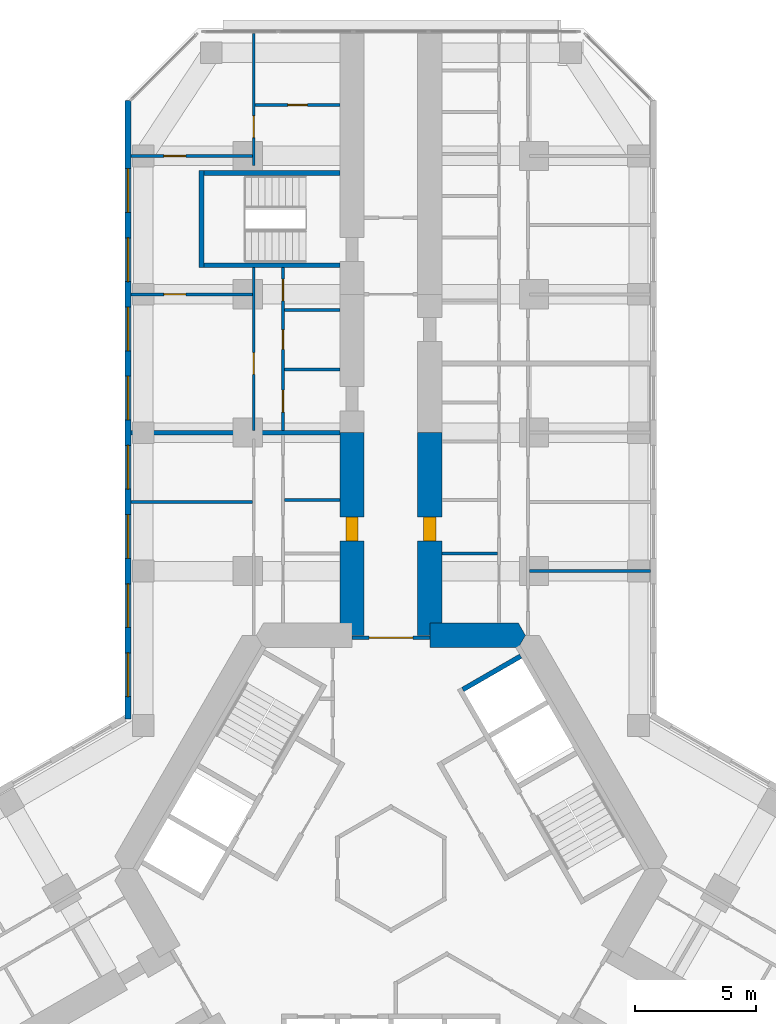
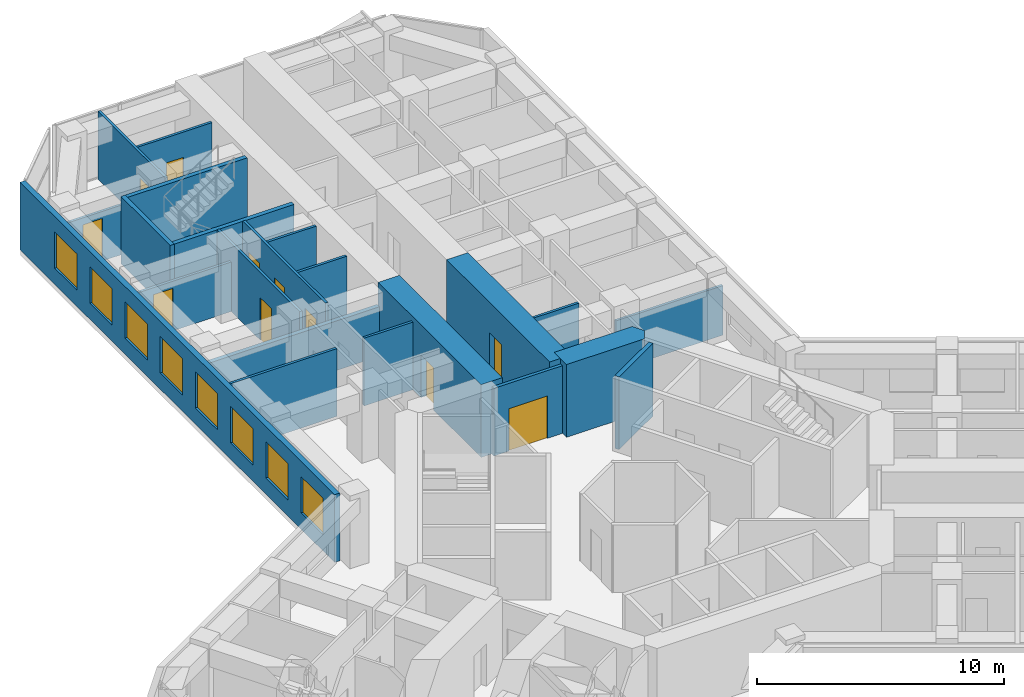
# One storey, part 17 of 21: 22 walls, 11 doors, 8 windows, 19 openings.
"""IFC4 building model written with IfcOpenShell, lengths in metres."""

from ifc_helpers import new_model, si_unit, direction, frame, frame_2d, origin, place, context, subcontext, project, spatial, polyline, rectangle, outline, extrude, material, layer, layer_set, type_object, element, fill, save


model = new_model("IFC4")

# Units and contexts
model_context = context("Model", 3, precision=1e-05, world=origin(), true_north=direction((0.0, 1.0)))
body_context = subcontext(model_context, "Body", "Model", "MODEL_VIEW")
ifc_project = project(units=[si_unit("LENGTHUNIT", "METRE"), si_unit("AREAUNIT", "SQUARE_METRE"), si_unit("VOLUMEUNIT", "CUBIC_METRE"), si_unit("PLANEANGLEUNIT", "RADIAN"), si_unit("MASSUNIT", "GRAM", prefix="KILO")], contexts=[model_context])

# Site, building, storey
site_placement = place(None, origin())
site = spatial("IfcSite", under=ifc_project, at=site_placement, CompositionType="ELEMENT")
building_placement = place(site_placement, origin())
building = spatial("IfcBuilding", under=site, at=building_placement, Name="Kosmar Iwan School Tower", CompositionType="ELEMENT")
storey_placement = place(building_placement, frame((0.0, 0.0, 88.0)))
storey = spatial("IfcBuildingStorey", under=building, at=storey_placement, Name="L21", CompositionType="ELEMENT", Elevation=88.0)

# Wall
ifc_material_1 = material(Name="Concrete C50/60", Category="concrete")
ifc_layer_1 = layer(ifc_material_1, 1.0)
ifc_layer_set_1 = layer_set([ifc_layer_1], Name="Core wall 1000")
wall_type_1 = type_object("IfcWallType", Name="Core wall 1000", PredefinedType="SHEAR", material=ifc_layer_set_1)
wall_1_placement = place(storey_placement, origin())
element("IfcWall", 1, at=wall_1_placement, inside=storey, type_object=wall_type_1, Name="Core wall F090a", PredefinedType="SHEAR", context=body_context, shape_type="SweptSolid", body=[
    extrude(outline(polyline([(1.60009765625, 9.10009765625), (5.25390625, 9.10009765625), (5.54248046875, 9.60009765625), (5.25390625, 10.10009765625), (1.60009765625, 10.10009765625), (1.60009765625, 9.10009765625)])), origin(), (0.0, 0.0, 1.0), 3.60009765625),
])

# Wall, opening, door
ifc_material_2 = material(Name="Concrete C50/60", Category="concrete")
ifc_layer_2 = layer(ifc_material_2, 1.0)
ifc_layer_set_2 = layer_set([ifc_layer_2], Name="Corridor buttress wall 1000")
wall_type_2 = type_object("IfcWallType", Name="Corridor buttress wall 1000", PredefinedType="SHEAR", material=ifc_layer_set_2)
wall_2_placement = place(storey_placement, frame((-1.60009765625, 9.60009765625, 0.0), z_axis=(0.0, 0.0, 1.0), x_axis=(0.0, 1.0, 0.0)))
wall_2 = element("IfcWall", 2, at=wall_2_placement, inside=storey, type_object=wall_type_2, Name="Corridor wall AL", PredefinedType="SHEAR", context=body_context, shape_type="SweptSolid", body=[
    extrude(rectangle(XDim=8.349853515625, YDim=1.0, at=frame_2d((4.1748046875, 0.0))), origin(), (0.0, 0.0, 1.0), 3.60009765625),
])
opening_1_placement = place(wall_2_placement, frame((3.8798828125, 0.0, 0.0)))
opening_1 = element("IfcOpeningElement", 3, at=opening_1_placement, cuts=wall_2, Name="Opening D1", PredefinedType="OPENING", context=body_context, shape_type="SweptSolid", body=[
    extrude(rectangle(XDim=1.0, YDim=2.10009765625, at=frame_2d((0.5, 1.050048828125))), frame((0.0, 0.511962890625, 0.0), z_axis=(0.0, -1.0, 0.0), x_axis=(1.0, 0.0, 0.0)), (0.0, 0.0, 1.0), 1.02392578125),
])
ifc_material_3 = material(Name="Timber fire door in steel frame", Category="steel")
door_type_1 = type_object("IfcDoorType", Name="Flat entrance door 1000x2100", OperationType="SINGLE_SWING_LEFT", PredefinedType="DOOR", material=ifc_material_3)
door_1_placement = place(opening_1_placement, origin())
door_1 = element("IfcDoor", 4, at=door_1_placement, inside=storey, type_object=door_type_1, Name="Flat L21-AL1 entrance door", OperationType="SINGLE_SWING_LEFT", OverallHeight=2.10009765625, OverallWidth=1.0, PredefinedType="DOOR", context=body_context, shape_type="SweptSolid", body=[
    extrude(rectangle(XDim=1.0, YDim=2.10009765625, at=frame_2d((0.5, 1.050048828125))), frame((0.0, 0.25, 0.0), z_axis=(0.0, -1.0, 0.0), x_axis=(1.0, 0.0, 0.0)), (0.0, 0.0, 1.0), 0.5),
])
fill(opening_1, door_1)

wall_3_placement = place(storey_placement, frame((1.60009765625, 9.60009765625, 0.0), z_axis=(0.0, 0.0, 1.0), x_axis=(0.0, 1.0, 0.0)))
wall_3 = element("IfcWall", 5, at=wall_3_placement, inside=storey, type_object=wall_type_2, Name="Corridor wall AR", PredefinedType="SHEAR", context=body_context, shape_type="SweptSolid", body=[
    extrude(rectangle(XDim=8.349853515625, YDim=1.0, at=frame_2d((4.1748046875, 0.0))), origin(), (0.0, 0.0, 1.0), 3.60009765625),
])
opening_2_placement = place(wall_3_placement, frame((3.8798828125, 0.0, 0.0)))
opening_2 = element("IfcOpeningElement", 6, at=opening_2_placement, cuts=wall_3, Name="Opening D1", PredefinedType="OPENING", context=body_context, shape_type="SweptSolid", body=[
    extrude(rectangle(XDim=1.0, YDim=2.10009765625, at=frame_2d((0.5, 1.050048828125))), frame((0.0, 0.511962890625, 0.0), z_axis=(0.0, -1.0, 0.0), x_axis=(1.0, 0.0, 0.0)), (0.0, 0.0, 1.0), 1.02392578125),
])
door_2_placement = place(opening_2_placement, origin())
door_2 = element("IfcDoor", 7, at=door_2_placement, inside=storey, type_object=door_type_1, Name="Flat L21-AR1 entrance door", OperationType="SINGLE_SWING_RIGHT", OverallHeight=2.10009765625, OverallWidth=1.0, PredefinedType="DOOR", context=body_context, shape_type="SweptSolid", body=[
    extrude(rectangle(XDim=1.0, YDim=2.10009765625, at=frame_2d((0.5, 1.050048828125))), frame((0.0, 0.25, 0.0), z_axis=(0.0, -1.0, 0.0), x_axis=(1.0, 0.0, 0.0)), (0.0, 0.0, 1.0), 0.5),
])
fill(opening_2, door_2)

ifc_material_4 = material(Name="Steel framed glazed screen", Category="steel")
ifc_layer_3 = layer(ifc_material_4, 0.14990234375)
ifc_layer_set_3 = layer_set([ifc_layer_3], Name="Corridor screen wall 150")
wall_type_3 = type_object("IfcWallType", Name="Corridor screen wall 150", PredefinedType="PARTITIONING", material=ifc_layer_set_3)
wall_4_placement = place(storey_placement, frame((1.60009765625, 9.5, 0.0), z_axis=(0.0, 0.0, 1.0), x_axis=(-1.0, 0.0, 0.0)))
wall_4 = element("IfcWall", 8, at=wall_4_placement, inside=storey, type_object=wall_type_3, Name="Corridor screen A L21", PredefinedType="PARTITIONING", context=body_context, shape_type="SweptSolid", body=[
    extrude(rectangle(XDim=3.2001953125, YDim=0.14990234375, at=frame_2d((1.60009765625, 0.0))), origin(), (0.0, 0.0, 1.0), 3.35009765625),
])
opening_3_placement = place(wall_4_placement, frame((0.699951171875, 0.0, 0.0)))
opening_3 = element("IfcOpeningElement", 9, at=opening_3_placement, cuts=wall_4, Name="Opening D9", PredefinedType="OPENING", context=body_context, shape_type="SweptSolid", body=[
    extrude(rectangle(XDim=1.800048828125, YDim=2.10009765625, at=frame_2d((0.89990234375, 1.050048828125))), frame((0.0, 0.0869140625, 0.0), z_axis=(0.0, -1.0, 0.0), x_axis=(1.0, 0.0, 0.0)), (0.0, 0.0, 1.0), 0.173828125),
])
ifc_material_5 = material(Name="Steel framed glazed smoke door", Category="steel")
door_type_2 = type_object("IfcDoorType", Name="Corridor smoke door pair 1800x2100", OperationType="DOUBLE_DOOR_DOUBLE_SWING", PredefinedType="DOOR", material=ifc_material_5)
door_3_placement = place(opening_3_placement, origin())
door_3 = element("IfcDoor", 10, at=door_3_placement, inside=storey, type_object=door_type_2, Name="Corridor doors A L21", OperationType="DOUBLE_DOOR_DOUBLE_SWING", OverallHeight=2.10009765625, OverallWidth=1.800048828125, PredefinedType="DOOR", context=body_context, shape_type="SweptSolid", body=[
    extrude(rectangle(XDim=1.800048828125, YDim=2.10009765625, at=frame_2d((0.89990234375, 1.050048828125))), frame((0.0, 0.02490234375, 0.0), z_axis=(0.0, -1.0, 0.0), x_axis=(1.0, 0.0, 0.0)), (0.0, 0.0, 1.0), 0.050048828125),
])
fill(opening_3, door_3)

# Walls
ifc_material_6 = material(Name="Gypsum board on steel studs", Category="steel")
ifc_layer_4 = layer(ifc_material_6, 0.1201171875)
ifc_layer_set_4 = layer_set([ifc_layer_4], Name="Dwelling partition 120")
wall_type_4 = type_object("IfcWallType", Name="Dwelling partition 120", PredefinedType="PARTITIONING", material=ifc_layer_set_4)
wall_5_placement = place(storey_placement, frame((-5.7099609375, 15.10009765625, 0.0), z_axis=(0.0, 0.0, 1.0), x_axis=(-1.0, 0.0, 0.0)))
element("IfcWall", 11, at=wall_5_placement, inside=storey, type_object=wall_type_4, Name="Partition L21-AL1-X1", PredefinedType="PARTITIONING", context=body_context, shape_type="SweptSolid", body=[
    extrude(rectangle(XDim=4.989990234375, YDim=0.1201171875, at=frame_2d((2.4951171875, 0.0))), origin(), (0.0, 0.0, 1.0), 3.35009765625),
])
wall_6_placement = place(storey_placement, frame((-2.10009765625, 15.179931640625, 0.0), z_axis=(0.0, 0.0, 1.0), x_axis=(-1.0, 0.0, 0.0)))
element("IfcWall", 12, at=wall_6_placement, inside=storey, type_object=wall_type_4, Name="Partition L21-AL1-Y2", PredefinedType="PARTITIONING", context=body_context, shape_type="SweptSolid", body=[
    extrude(rectangle(XDim=2.289794921875, YDim=0.1201171875, at=frame_2d((1.14501953125, 0.0))), origin(), (0.0, 0.0, 1.0), 3.35009765625),
])

# Wall, openings, doors
wall_7_placement = place(storey_placement, frame((-4.449951171875, 18.050048828125, 0.0), z_axis=(0.0, 0.0, 1.0), x_axis=(0.0, 1.0, 0.0)))
wall_7 = element("IfcWall", 13, at=wall_7_placement, inside=storey, type_object=wall_type_4, Name="Partition L21-AL2-W1", PredefinedType="PARTITIONING", context=body_context, shape_type="SweptSolid", body=[
    extrude(rectangle(XDim=6.699951171875, YDim=0.1201171875, at=frame_2d((3.35009765625, 0.0))), origin(), (0.0, 0.0, 1.0), 3.35009765625),
])
opening_4_placement = place(wall_7_placement, frame((0.75, 0.0, 0.0)))
opening_4 = element("IfcOpeningElement", 14, at=opening_4_placement, cuts=wall_7, Name="Opening D2", PredefinedType="OPENING", context=body_context, shape_type="SweptSolid", body=[
    extrude(rectangle(XDim=0.89990234375, YDim=2.10009765625, at=frame_2d((0.449951171875, 1.050048828125))), frame((0.0, 0.072021484375, 0.0), z_axis=(0.0, -1.0, 0.0), x_axis=(1.0, 0.0, 0.0)), (0.0, 0.0, 1.0), 0.14404296875),
])
opening_5_placement = place(wall_7_placement, frame((3.330078125, 0.0, 0.0)))
opening_5 = element("IfcOpeningElement", 15, at=opening_5_placement, cuts=wall_7, Name="Opening D3", PredefinedType="OPENING", context=body_context, shape_type="SweptSolid", body=[
    extrude(rectangle(XDim=0.800048828125, YDim=2.10009765625, at=frame_2d((0.39990234375, 1.050048828125))), frame((0.0, 0.072021484375, 0.0), z_axis=(0.0, -1.0, 0.0), x_axis=(1.0, 0.0, 0.0)), (0.0, 0.0, 1.0), 0.14404296875),
])
opening_6_placement = place(wall_7_placement, frame((5.330078125, 0.0, 0.0)))
opening_6 = element("IfcOpeningElement", 16, at=opening_6_placement, cuts=wall_7, Name="Opening D2", PredefinedType="OPENING", context=body_context, shape_type="SweptSolid", body=[
    extrude(rectangle(XDim=0.89990234375, YDim=2.10009765625, at=frame_2d((0.449951171875, 1.050048828125))), frame((0.0, 0.072021484375, 0.0), z_axis=(0.0, -1.0, 0.0), x_axis=(1.0, 0.0, 0.0)), (0.0, 0.0, 1.0), 0.14404296875),
])
ifc_material_7 = material(Name="Timber door in timber frame", Category="wood")
door_type_3 = type_object("IfcDoorType", Name="Internal door 900x2100", OperationType="SINGLE_SWING_LEFT", PredefinedType="DOOR", material=ifc_material_7)
door_4_placement = place(opening_4_placement, origin())
door_4 = element("IfcDoor", 17, at=door_4_placement, inside=storey, type_object=door_type_3, Name="Entrance hall door L21-AL2-S1", OperationType="SINGLE_SWING_LEFT", OverallHeight=2.10009765625, OverallWidth=0.89990234375, PredefinedType="DOOR", context=body_context, shape_type="SweptSolid", body=[
    extrude(rectangle(XDim=0.89990234375, YDim=2.10009765625, at=frame_2d((0.449951171875, 1.050048828125))), frame((0.0, 0.02490234375, 0.0), z_axis=(0.0, -1.0, 0.0), x_axis=(1.0, 0.0, 0.0)), (0.0, 0.0, 1.0), 0.050048828125),
])
fill(opening_4, door_4)
door_5_placement = place(opening_6_placement, frame((0.89990234375, 0.0, 0.0), z_axis=(0.0, 0.0, 1.0), x_axis=(-1.0, 0.0, 0.0)))
door_5 = element("IfcDoor", 18, at=door_5_placement, inside=storey, type_object=door_type_3, Name="Pantry door L21-AL2-S3", OperationType="SINGLE_SWING_LEFT", OverallHeight=2.10009765625, OverallWidth=0.89990234375, PredefinedType="DOOR", context=body_context, shape_type="SweptSolid", body=[
    extrude(rectangle(XDim=0.89990234375, YDim=2.10009765625, at=frame_2d((0.449951171875, 1.050048828125))), frame((0.0, 0.02490234375, 0.0), z_axis=(0.0, -1.0, 0.0), x_axis=(1.0, 0.0, 0.0)), (0.0, 0.0, 1.0), 0.050048828125),
])
fill(opening_6, door_5)
ifc_material_8 = material(Name="Timber door in timber frame", Category="wood")
door_type_4 = type_object("IfcDoorType", Name="Sanitary room door 800x2100", OperationType="SINGLE_SWING_LEFT", PredefinedType="DOOR", material=ifc_material_8)
door_6_placement = place(opening_5_placement, origin())
door_6 = element("IfcDoor", 19, at=door_6_placement, inside=storey, type_object=door_type_4, Name="Bathroom door L21-AL2-S2", OperationType="SINGLE_SWING_RIGHT", OverallHeight=2.10009765625, OverallWidth=0.800048828125, PredefinedType="DOOR", context=body_context, shape_type="SweptSolid", body=[
    extrude(rectangle(XDim=0.800048828125, YDim=2.10009765625, at=frame_2d((0.39990234375, 1.050048828125))), frame((0.0, 0.02490234375, 0.0), z_axis=(0.0, -1.0, 0.0), x_axis=(1.0, 0.0, 0.0)), (0.0, 0.0, 1.0), 0.050048828125),
])
fill(opening_5, door_6)

# Wall, opening, door
wall_8_placement = place(storey_placement, frame((-5.64990234375, 18.050048828125, 0.0), z_axis=(0.0, 0.0, 1.0), x_axis=(0.0, 1.0, 0.0)))
wall_8 = element("IfcWall", 20, at=wall_8_placement, inside=storey, type_object=wall_type_4, Name="Partition L21-AL2-W2", PredefinedType="PARTITIONING", context=body_context, shape_type="SweptSolid", body=[
    extrude(rectangle(XDim=6.699951171875, YDim=0.1201171875, at=frame_2d((3.35009765625, 0.0))), origin(), (0.0, 0.0, 1.0), 3.35009765625),
])
opening_7_placement = place(wall_8_placement, frame((2.300048828125, 0.0, 0.0)))
opening_7 = element("IfcOpeningElement", 21, at=opening_7_placement, cuts=wall_8, Name="Opening D2", PredefinedType="OPENING", context=body_context, shape_type="SweptSolid", body=[
    extrude(rectangle(XDim=0.89990234375, YDim=2.10009765625, at=frame_2d((0.449951171875, 1.050048828125))), frame((0.0, 0.072021484375, 0.0), z_axis=(0.0, -1.0, 0.0), x_axis=(1.0, 0.0, 0.0)), (0.0, 0.0, 1.0), 0.14404296875),
])
door_7_placement = place(opening_7_placement, origin())
door_7 = element("IfcDoor", 22, at=door_7_placement, inside=storey, type_object=door_type_3, Name="Studio living room and kitchen door L21-AL2-F1", OperationType="SINGLE_SWING_RIGHT", OverallHeight=2.10009765625, OverallWidth=0.89990234375, PredefinedType="DOOR", context=body_context, shape_type="SweptSolid", body=[
    extrude(rectangle(XDim=0.89990234375, YDim=2.10009765625, at=frame_2d((0.449951171875, 1.050048828125))), frame((0.0, 0.02490234375, 0.0), z_axis=(0.0, -1.0, 0.0), x_axis=(1.0, 0.0, 0.0)), (0.0, 0.0, 1.0), 0.050048828125),
])
fill(opening_7, door_7)

# Walls
for number, where, z_axis, x_axis, name in (
    (23, (-2.10009765625, 20.550048828125, 0.0), (0.0, 0.0, 1.0), (-1.0, 0.0, 0.0), "Partition L21-AL2-Y1"),
    (24, (-2.10009765625, 23.010009765625, 0.0), (0.0, 0.0, 1.0), (-1.0, 0.0, 0.0), "Partition L21-AL2-Y2"),
):
    element("IfcWall", number, at=place(storey_placement, frame(where, z_axis=z_axis, x_axis=x_axis)), inside=storey, type_object=wall_type_4, Name=name, PredefinedType="PARTITIONING", context=body_context, shape_type="SweptSolid", body=[
        extrude(rectangle(XDim=2.289794921875, YDim=0.1201171875, at=frame_2d((1.14501953125, 0.0))), origin(), (0.0, 0.0, 1.0), 3.35009765625),
    ])

# Wall, opening, door
wall_9_placement = place(storey_placement, frame((-5.7099609375, 23.64990234375, 0.0), z_axis=(0.0, 0.0, 1.0), x_axis=(-1.0, 0.0, 0.0)))
wall_9 = element("IfcWall", 25, at=wall_9_placement, inside=storey, type_object=wall_type_4, Name="Partition L21-AL2-TB", PredefinedType="PARTITIONING", context=body_context, shape_type="SweptSolid", body=[
    extrude(rectangle(XDim=4.989990234375, YDim=0.1201171875, at=frame_2d((2.4951171875, 0.0))), origin(), (0.0, 0.0, 1.0), 2.449951171875),
])
opening_8_placement = place(wall_9_placement, frame((2.739990234375, 0.0, 0.0)))
opening_8 = element("IfcOpeningElement", 26, at=opening_8_placement, cuts=wall_9, Name="Opening D2", PredefinedType="OPENING", context=body_context, shape_type="SweptSolid", body=[
    extrude(rectangle(XDim=0.89990234375, YDim=2.10009765625, at=frame_2d((0.449951171875, 1.050048828125))), frame((0.0, 0.072021484375, 0.0), z_axis=(0.0, -1.0, 0.0), x_axis=(1.0, 0.0, 0.0)), (0.0, 0.0, 1.0), 0.14404296875),
])
door_8_placement = place(opening_8_placement, origin())
door_8 = element("IfcDoor", 27, at=door_8_placement, inside=storey, type_object=door_type_3, Name="Study door L21-AL2-F1", OperationType="SINGLE_SWING_RIGHT", OverallHeight=2.10009765625, OverallWidth=0.89990234375, PredefinedType="DOOR", context=body_context, shape_type="SweptSolid", body=[
    extrude(rectangle(XDim=0.89990234375, YDim=2.10009765625, at=frame_2d((0.449951171875, 1.050048828125))), frame((0.0, 0.02490234375, 0.0), z_axis=(0.0, -1.0, 0.0), x_axis=(1.0, 0.0, 0.0)), (0.0, 0.0, 1.0), 0.050048828125),
])
fill(opening_8, door_8)

wall_10_placement = place(storey_placement, frame((-5.7099609375, 29.35009765625, 0.0), z_axis=(0.0, 0.0, 1.0), x_axis=(-1.0, 0.0, 0.0)))
wall_10 = element("IfcWall", 28, at=wall_10_placement, inside=storey, type_object=wall_type_4, Name="Partition L21-AL2-TX", PredefinedType="PARTITIONING", context=body_context, shape_type="SweptSolid", body=[
    extrude(rectangle(XDim=4.989990234375, YDim=0.1201171875, at=frame_2d((2.4951171875, 0.0))), origin(), (0.0, 0.0, 1.0), 2.449951171875),
])
opening_9_placement = place(wall_10_placement, frame((2.739990234375, 0.0, 0.0)))
opening_9 = element("IfcOpeningElement", 29, at=opening_9_placement, cuts=wall_10, Name="Opening D2", PredefinedType="OPENING", context=body_context, shape_type="SweptSolid", body=[
    extrude(rectangle(XDim=0.89990234375, YDim=2.10009765625, at=frame_2d((0.449951171875, 1.050048828125))), frame((0.0, 0.072021484375, 0.0), z_axis=(0.0, -1.0, 0.0), x_axis=(1.0, 0.0, 0.0)), (0.0, 0.0, 1.0), 0.14404296875),
])
door_9_placement = place(opening_9_placement, origin())
door_9 = element("IfcDoor", 30, at=door_9_placement, inside=storey, type_object=door_type_3, Name="Study door L21-AL2-T1", OperationType="SINGLE_SWING_RIGHT", OverallHeight=2.10009765625, OverallWidth=0.89990234375, PredefinedType="DOOR", context=body_context, shape_type="SweptSolid", body=[
    extrude(rectangle(XDim=0.89990234375, YDim=2.10009765625, at=frame_2d((0.449951171875, 1.050048828125))), frame((0.0, 0.02490234375, 0.0), z_axis=(0.0, -1.0, 0.0), x_axis=(1.0, 0.0, 0.0)), (0.0, 0.0, 1.0), 0.050048828125),
])
fill(opening_9, door_9)

wall_11_placement = place(storey_placement, frame((-5.64990234375, 28.949951171875, 0.0), z_axis=(0.0, 0.0, 1.0), x_axis=(0.0, 1.0, 0.0)))
wall_11 = element("IfcWall", 31, at=wall_11_placement, inside=storey, type_object=wall_type_4, Name="Partition L21-AL2-TW", PredefinedType="PARTITIONING", context=body_context, shape_type="SweptSolid", body=[
    extrude(rectangle(XDim=5.445068359375, YDim=0.1201171875, at=frame_2d((2.72265625, 0.0))), origin(), (0.0, 0.0, 1.0), 3.35009765625),
])
opening_10_placement = place(wall_11_placement, frame((1.14990234375, 0.0, 0.0)))
opening_10 = element("IfcOpeningElement", 32, at=opening_10_placement, cuts=wall_11, Name="Opening D2", PredefinedType="OPENING", context=body_context, shape_type="SweptSolid", body=[
    extrude(rectangle(XDim=0.89990234375, YDim=2.10009765625, at=frame_2d((0.449951171875, 1.050048828125))), frame((0.0, 0.072021484375, 0.0), z_axis=(0.0, -1.0, 0.0), x_axis=(1.0, 0.0, 0.0)), (0.0, 0.0, 1.0), 0.14404296875),
])
door_10_placement = place(opening_10_placement, origin())
door_10 = element("IfcDoor", 33, at=door_10_placement, inside=storey, type_object=door_type_3, Name="Dressing room door L21-AL2-T3", OperationType="SINGLE_SWING_LEFT", OverallHeight=2.10009765625, OverallWidth=0.89990234375, PredefinedType="DOOR", context=body_context, shape_type="SweptSolid", body=[
    extrude(rectangle(XDim=0.89990234375, YDim=2.10009765625, at=frame_2d((0.449951171875, 1.050048828125))), frame((0.0, 0.02490234375, 0.0), z_axis=(0.0, -1.0, 0.0), x_axis=(1.0, 0.0, 0.0)), (0.0, 0.0, 1.0), 0.050048828125),
])
fill(opening_10, door_10)

wall_12_placement = place(storey_placement, frame((-2.10009765625, 31.449951171875, 0.0), z_axis=(0.0, 0.0, 1.0), x_axis=(-1.0, 0.0, 0.0)))
wall_12 = element("IfcWall", 34, at=wall_12_placement, inside=storey, type_object=wall_type_4, Name="Partition L21-AL2-TY", PredefinedType="PARTITIONING", context=body_context, shape_type="SweptSolid", body=[
    extrude(rectangle(XDim=3.489990234375, YDim=0.1201171875, at=frame_2d((1.7451171875, 0.0))), origin(), (0.0, 0.0, 1.0), 3.35009765625),
])
opening_11_placement = place(wall_12_placement, frame((1.344970703125, 0.0, 0.0)))
opening_11 = element("IfcOpeningElement", 35, at=opening_11_placement, cuts=wall_12, Name="Opening D3", PredefinedType="OPENING", context=body_context, shape_type="SweptSolid", body=[
    extrude(rectangle(XDim=0.800048828125, YDim=2.10009765625, at=frame_2d((0.39990234375, 1.050048828125))), frame((0.0, 0.072021484375, 0.0), z_axis=(0.0, -1.0, 0.0), x_axis=(1.0, 0.0, 0.0)), (0.0, 0.0, 1.0), 0.14404296875),
])
door_11_placement = place(opening_11_placement, origin())
door_11 = element("IfcDoor", 36, at=door_11_placement, inside=storey, type_object=door_type_4, Name="Shower room door L21-AL2-T4", OperationType="SINGLE_SWING_LEFT", OverallHeight=2.10009765625, OverallWidth=0.800048828125, PredefinedType="DOOR", context=body_context, shape_type="SweptSolid", body=[
    extrude(rectangle(XDim=0.800048828125, YDim=2.10009765625, at=frame_2d((0.39990234375, 1.050048828125))), frame((0.0, 0.02490234375, 0.0), z_axis=(0.0, -1.0, 0.0), x_axis=(1.0, 0.0, 0.0)), (0.0, 0.0, 1.0), 0.050048828125),
])
fill(opening_11, door_11)

# Walls
wall_13_placement = place(storey_placement, frame((5.7099609375, 12.25, 0.0), z_axis=(0.0, 0.0, 1.0), x_axis=(1.0, 0.0, 0.0)))
element("IfcWall", 37, at=wall_13_placement, inside=storey, type_object=wall_type_4, Name="Partition L21-AR1-X1", PredefinedType="PARTITIONING", context=body_context, shape_type="SweptSolid", body=[
    extrude(rectangle(XDim=4.989990234375, YDim=0.1201171875, at=frame_2d((2.4951171875, 0.0))), origin(), (0.0, 0.0, 1.0), 2.449951171875),
])
wall_14_placement = place(storey_placement, frame((2.10009765625, 12.97998046875, 0.0), z_axis=(0.0, 0.0, 1.0), x_axis=(1.0, 0.0, 0.0)))
element("IfcWall", 38, at=wall_14_placement, inside=storey, type_object=wall_type_4, Name="Partition L21-AR1-Y1", PredefinedType="PARTITIONING", context=body_context, shape_type="SweptSolid", body=[
    extrude(rectangle(XDim=2.289794921875, YDim=0.1201171875, at=frame_2d((1.14501953125, 0.0))), origin(), (0.0, 0.0, 1.0), 3.35009765625),
])
ifc_material_9 = material(Name="Concrete C35/45", Category="concrete")
ifc_layer_5 = layer(ifc_material_9, 0.199951171875)
ifc_layer_set_5 = layer_set([ifc_layer_5], Name="Escape stair wall 200")
wall_type_5 = type_object("IfcWallType", Name="Escape stair wall 200", PredefinedType="SHEAR", material=ifc_layer_set_5)
for number, where, z_axis, x_axis, name in (
    (39, (-2.10009765625, 24.85009765625, 0.0), (0.0, 0.0, 1.0), (-1.0, 0.0, 0.0), "Stair WS1 wall"),
    (40, (-2.10009765625, 28.64990234375, 0.0), (0.0, 0.0, 1.0), (-1.0, 0.0, 0.0), "Stair WS1 wall"),
):
    element("IfcWall", number, at=place(storey_placement, frame(where, z_axis=z_axis, x_axis=x_axis)), inside=storey, type_object=wall_type_5, Name=name, PredefinedType="SHEAR", context=body_context, shape_type="SweptSolid", body=[
        extrude(rectangle(XDim=5.7998046875, YDim=0.199951171875, at=frame_2d((2.89990234375, 0.0))), origin(), (0.0, 0.0, 1.0), 3.330078125),
    ])
wall_15_placement = place(storey_placement, frame((-7.800048828125, 24.75, 0.0), z_axis=(0.0, 0.0, 1.0), x_axis=(0.0, 1.0, 0.0)))
element("IfcWall", 41, at=wall_15_placement, inside=storey, type_object=wall_type_5, Name="Stair WS1 wall", PredefinedType="SHEAR", context=body_context, shape_type="SweptSolid", body=[
    extrude(rectangle(XDim=4.0, YDim=0.199951171875, at=frame_2d((2.0, 0.0))), origin(), (0.0, 0.0, 1.0), 3.330078125),
])

# Wall, openings, windows
ifc_material_10 = material(Name="Black aluminium rainscreen on insulated framing", Category="aluminium")
ifc_layer_6 = layer(ifc_material_10, 0.25)
ifc_layer_set_6 = layer_set([ifc_layer_6], Name="External wall rainscreen 250")
wall_type_6 = type_object("IfcWallType", Name="External wall rainscreen 250", PredefinedType="SOLIDWALL", material=ifc_layer_set_6)
wall_16_placement = place(storey_placement, frame((-10.824951171875, 6.14794921875, 0.0), z_axis=(0.0, 0.0, 1.0), x_axis=(0.0, 1.0, 0.0)))
wall_16 = element("IfcWall", 42, at=wall_16_placement, inside=storey, type_object=wall_type_6, Name="External wall AL L21", PredefinedType="SOLIDWALL", context=body_context, shape_type="SweptSolid", body=[
    extrude(rectangle(XDim=25.4873046875, YDim=0.25, at=frame_2d((12.74365234375, 0.0))), origin(), (0.0, 0.0, 1.0), 3.35009765625),
])
opening_12_placement = place(wall_16_placement, frame((0.927001953125, 0.0, 0.800048828125)))
opening_12 = element("IfcOpeningElement", 43, at=opening_12_placement, cuts=wall_16, Name="Opening W1", PredefinedType="OPENING", context=body_context, shape_type="SweptSolid", body=[
    extrude(rectangle(XDim=1.800048828125, YDim=1.800048828125, at=frame_2d((0.89990234375, 0.89990234375))), frame((0.0, 0.136962890625, 0.0), z_axis=(0.0, -1.0, 0.0), x_axis=(1.0, 0.0, 0.0)), (0.0, 0.0, 1.0), 0.27392578125),
])
opening_13_placement = place(wall_16_placement, frame((3.777099609375, 0.0, 0.800048828125)))
opening_13 = element("IfcOpeningElement", 44, at=opening_13_placement, cuts=wall_16, Name="Opening W1", PredefinedType="OPENING", context=body_context, shape_type="SweptSolid", body=[
    extrude(rectangle(XDim=1.800048828125, YDim=1.800048828125, at=frame_2d((0.89990234375, 0.89990234375))), frame((0.0, 0.136962890625, 0.0), z_axis=(0.0, -1.0, 0.0), x_axis=(1.0, 0.0, 0.0)), (0.0, 0.0, 1.0), 0.27392578125),
])
opening_14_placement = place(wall_16_placement, frame((6.626953125, 0.0, 0.800048828125)))
opening_14 = element("IfcOpeningElement", 45, at=opening_14_placement, cuts=wall_16, Name="Opening W1", PredefinedType="OPENING", context=body_context, shape_type="SweptSolid", body=[
    extrude(rectangle(XDim=1.800048828125, YDim=1.800048828125, at=frame_2d((0.89990234375, 0.89990234375))), frame((0.0, 0.136962890625, 0.0), z_axis=(0.0, -1.0, 0.0), x_axis=(1.0, 0.0, 0.0)), (0.0, 0.0, 1.0), 0.27392578125),
])
opening_15_placement = place(wall_16_placement, frame((9.47705078125, 0.0, 0.800048828125)))
opening_15 = element("IfcOpeningElement", 46, at=opening_15_placement, cuts=wall_16, Name="Opening W1", PredefinedType="OPENING", context=body_context, shape_type="SweptSolid", body=[
    extrude(rectangle(XDim=1.800048828125, YDim=1.800048828125, at=frame_2d((0.89990234375, 0.89990234375))), frame((0.0, 0.136962890625, 0.0), z_axis=(0.0, -1.0, 0.0), x_axis=(1.0, 0.0, 0.0)), (0.0, 0.0, 1.0), 0.27392578125),
])
opening_16_placement = place(wall_16_placement, frame((12.326904296875, 0.0, 0.800048828125)))
opening_16 = element("IfcOpeningElement", 47, at=opening_16_placement, cuts=wall_16, Name="Opening W1", PredefinedType="OPENING", context=body_context, shape_type="SweptSolid", body=[
    extrude(rectangle(XDim=1.800048828125, YDim=1.800048828125, at=frame_2d((0.89990234375, 0.89990234375))), frame((0.0, 0.136962890625, 0.0), z_axis=(0.0, -1.0, 0.0), x_axis=(1.0, 0.0, 0.0)), (0.0, 0.0, 1.0), 0.27392578125),
])
opening_17_placement = place(wall_16_placement, frame((15.177001953125, 0.0, 0.800048828125)))
opening_17 = element("IfcOpeningElement", 48, at=opening_17_placement, cuts=wall_16, Name="Opening W1", PredefinedType="OPENING", context=body_context, shape_type="SweptSolid", body=[
    extrude(rectangle(XDim=1.800048828125, YDim=1.800048828125, at=frame_2d((0.89990234375, 0.89990234375))), frame((0.0, 0.136962890625, 0.0), z_axis=(0.0, -1.0, 0.0), x_axis=(1.0, 0.0, 0.0)), (0.0, 0.0, 1.0), 0.27392578125),
])
opening_18_placement = place(wall_16_placement, frame((18.027099609375, 0.0, 0.800048828125)))
opening_18 = element("IfcOpeningElement", 49, at=opening_18_placement, cuts=wall_16, Name="Opening W1", PredefinedType="OPENING", context=body_context, shape_type="SweptSolid", body=[
    extrude(rectangle(XDim=1.800048828125, YDim=1.800048828125, at=frame_2d((0.89990234375, 0.89990234375))), frame((0.0, 0.136962890625, 0.0), z_axis=(0.0, -1.0, 0.0), x_axis=(1.0, 0.0, 0.0)), (0.0, 0.0, 1.0), 0.27392578125),
])
opening_19_placement = place(wall_16_placement, frame((20.876953125, 0.0, 0.800048828125)))
opening_19 = element("IfcOpeningElement", 50, at=opening_19_placement, cuts=wall_16, Name="Opening W1", PredefinedType="OPENING", context=body_context, shape_type="SweptSolid", body=[
    extrude(rectangle(XDim=1.800048828125, YDim=1.800048828125, at=frame_2d((0.89990234375, 0.89990234375))), frame((0.0, 0.136962890625, 0.0), z_axis=(0.0, -1.0, 0.0), x_axis=(1.0, 0.0, 0.0)), (0.0, 0.0, 1.0), 0.27392578125),
])
ifc_material_11 = material(Name="Black aluminium frame with dark triple glazing", Category="aluminium")
window_type = type_object("IfcWindowType", Name="Window 1800x1800", PartitioningType="SINGLE_PANEL", PredefinedType="WINDOW", material=ifc_material_11)
window_1_placement = place(opening_12_placement, origin())
window_1 = element("IfcWindow", 51, at=window_1_placement, inside=storey, type_object=window_type, Name="Window AL L21 -1", OverallHeight=1.800048828125, OverallWidth=1.800048828125, PartitioningType="SINGLE_PANEL", PredefinedType="WINDOW", context=body_context, shape_type="SweptSolid", body=[
    extrude(rectangle(XDim=1.800048828125, YDim=1.800048828125, at=frame_2d((0.89990234375, 0.89990234375))), frame((0.0, 0.030029296875, 0.0), z_axis=(0.0, -1.0, 0.0), x_axis=(1.0, 0.0, 0.0)), (0.0, 0.0, 1.0), 0.06005859375),
])
fill(opening_12, window_1)
window_2_placement = place(opening_13_placement, origin())
window_2 = element("IfcWindow", 52, at=window_2_placement, inside=storey, type_object=window_type, Name="Window AL L21 0", OverallHeight=1.800048828125, OverallWidth=1.800048828125, PartitioningType="SINGLE_PANEL", PredefinedType="WINDOW", context=body_context, shape_type="SweptSolid", body=[
    extrude(rectangle(XDim=1.800048828125, YDim=1.800048828125, at=frame_2d((0.89990234375, 0.89990234375))), frame((0.0, 0.030029296875, 0.0), z_axis=(0.0, -1.0, 0.0), x_axis=(1.0, 0.0, 0.0)), (0.0, 0.0, 1.0), 0.06005859375),
])
fill(opening_13, window_2)
window_3_placement = place(opening_14_placement, origin())
window_3 = element("IfcWindow", 53, at=window_3_placement, inside=storey, type_object=window_type, Name="Window AL L21 1", OverallHeight=1.800048828125, OverallWidth=1.800048828125, PartitioningType="SINGLE_PANEL", PredefinedType="WINDOW", context=body_context, shape_type="SweptSolid", body=[
    extrude(rectangle(XDim=1.800048828125, YDim=1.800048828125, at=frame_2d((0.89990234375, 0.89990234375))), frame((0.0, 0.030029296875, 0.0), z_axis=(0.0, -1.0, 0.0), x_axis=(1.0, 0.0, 0.0)), (0.0, 0.0, 1.0), 0.06005859375),
])
fill(opening_14, window_3)
window_4_placement = place(opening_15_placement, origin())
window_4 = element("IfcWindow", 54, at=window_4_placement, inside=storey, type_object=window_type, Name="Window AL L21 2", OverallHeight=1.800048828125, OverallWidth=1.800048828125, PartitioningType="SINGLE_PANEL", PredefinedType="WINDOW", context=body_context, shape_type="SweptSolid", body=[
    extrude(rectangle(XDim=1.800048828125, YDim=1.800048828125, at=frame_2d((0.89990234375, 0.89990234375))), frame((0.0, 0.030029296875, 0.0), z_axis=(0.0, -1.0, 0.0), x_axis=(1.0, 0.0, 0.0)), (0.0, 0.0, 1.0), 0.06005859375),
])
fill(opening_15, window_4)
window_5_placement = place(opening_16_placement, origin())
window_5 = element("IfcWindow", 55, at=window_5_placement, inside=storey, type_object=window_type, Name="Window AL L21 3", OverallHeight=1.800048828125, OverallWidth=1.800048828125, PartitioningType="SINGLE_PANEL", PredefinedType="WINDOW", context=body_context, shape_type="SweptSolid", body=[
    extrude(rectangle(XDim=1.800048828125, YDim=1.800048828125, at=frame_2d((0.89990234375, 0.89990234375))), frame((0.0, 0.030029296875, 0.0), z_axis=(0.0, -1.0, 0.0), x_axis=(1.0, 0.0, 0.0)), (0.0, 0.0, 1.0), 0.06005859375),
])
fill(opening_16, window_5)
window_6_placement = place(opening_17_placement, origin())
window_6 = element("IfcWindow", 56, at=window_6_placement, inside=storey, type_object=window_type, Name="Window AL L21 4", OverallHeight=1.800048828125, OverallWidth=1.800048828125, PartitioningType="SINGLE_PANEL", PredefinedType="WINDOW", context=body_context, shape_type="SweptSolid", body=[
    extrude(rectangle(XDim=1.800048828125, YDim=1.800048828125, at=frame_2d((0.89990234375, 0.89990234375))), frame((0.0, 0.030029296875, 0.0), z_axis=(0.0, -1.0, 0.0), x_axis=(1.0, 0.0, 0.0)), (0.0, 0.0, 1.0), 0.06005859375),
])
fill(opening_17, window_6)
window_7_placement = place(opening_18_placement, origin())
window_7 = element("IfcWindow", 57, at=window_7_placement, inside=storey, type_object=window_type, Name="Window AL L21 5", OverallHeight=1.800048828125, OverallWidth=1.800048828125, PartitioningType="SINGLE_PANEL", PredefinedType="WINDOW", context=body_context, shape_type="SweptSolid", body=[
    extrude(rectangle(XDim=1.800048828125, YDim=1.800048828125, at=frame_2d((0.89990234375, 0.89990234375))), frame((0.0, 0.030029296875, 0.0), z_axis=(0.0, -1.0, 0.0), x_axis=(1.0, 0.0, 0.0)), (0.0, 0.0, 1.0), 0.06005859375),
])
fill(opening_18, window_7)
window_8_placement = place(opening_19_placement, origin())
window_8 = element("IfcWindow", 58, at=window_8_placement, inside=storey, type_object=window_type, Name="Window AL L21 6", OverallHeight=1.800048828125, OverallWidth=1.800048828125, PartitioningType="SINGLE_PANEL", PredefinedType="WINDOW", context=body_context, shape_type="SweptSolid", body=[
    extrude(rectangle(XDim=1.800048828125, YDim=1.800048828125, at=frame_2d((0.89990234375, 0.89990234375))), frame((0.0, 0.030029296875, 0.0), z_axis=(0.0, -1.0, 0.0), x_axis=(1.0, 0.0, 0.0)), (0.0, 0.0, 1.0), 0.06005859375),
])
fill(opening_19, window_8)

# Walls
ifc_material_12 = material(Name="Concrete C50/60", Category="concrete")
ifc_layer_7 = layer(ifc_material_12, 0.199951171875)
ifc_layer_set_7 = layer_set([ifc_layer_7], Name="Lift shaft wall 200")
wall_type_7 = type_object("IfcWallType", Name="Lift shaft wall 200", PredefinedType="SHEAR", material=ifc_layer_set_7)
wall_17_placement = place(storey_placement, frame((2.962646484375, 7.368408203125, 0.0), z_axis=(0.0, 0.0, 1.0), x_axis=(0.866027397988, 0.499996545922, 0.0)))
element("IfcWall", 59, at=wall_17_placement, inside=storey, type_object=wall_type_7, Name="Lift shaft wall AC 2", PredefinedType="SHEAR", context=body_context, shape_type="SweptSolid", body=[
    extrude(rectangle(XDim=2.75, YDim=0.199951171875, at=frame_2d((1.375, 0.0))), origin(), (0.0, 0.0, 1.0), 3.60009765625),
])
ifc_material_13 = material(Name="Concrete block masonry", Category="masonry")
ifc_layer_8 = layer(ifc_material_13, 0.199951171875)
ifc_layer_set_8 = layer_set([ifc_layer_8], Name="Party wall 200")
wall_type_8 = type_object("IfcWallType", Name="Party wall 200", PredefinedType="PARTITIONING", material=ifc_layer_set_8)
wall_18_placement = place(storey_placement, frame((-2.10009765625, 17.949951171875, 0.0), z_axis=(0.0, 0.0, 1.0), x_axis=(-1.0, 0.0, 0.0)))
element("IfcWall", 60, at=wall_18_placement, inside=storey, type_object=wall_type_8, Name="Partition L21-AL2-PW", PredefinedType="PARTITIONING", context=body_context, shape_type="SweptSolid", body=[
    extrude(rectangle(XDim=8.599853515625, YDim=0.199951171875, at=frame_2d((4.2998046875, 0.0))), origin(), (0.0, 0.0, 1.0), 2.449951171875),
])

save(model, "model.ifc")
